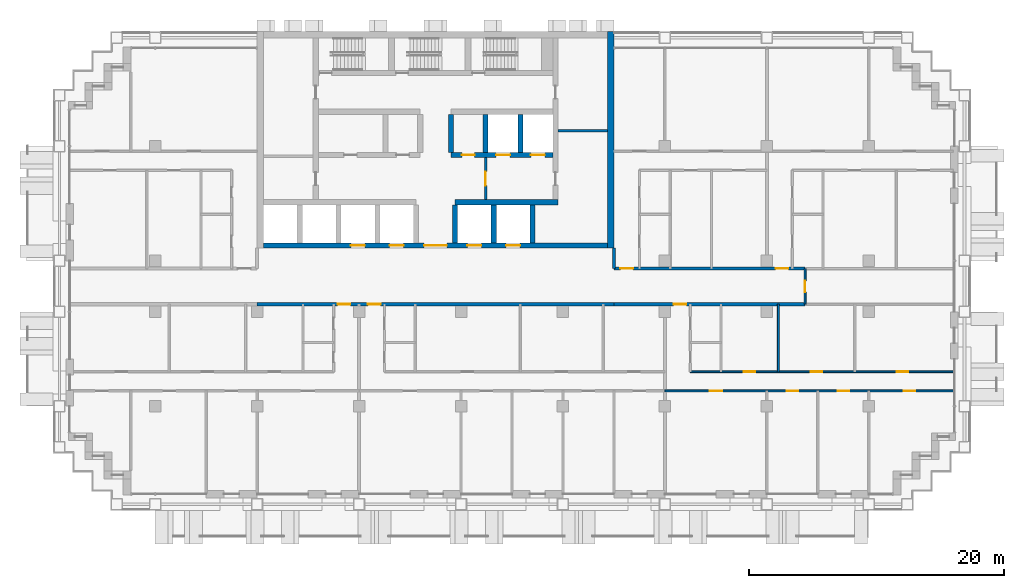
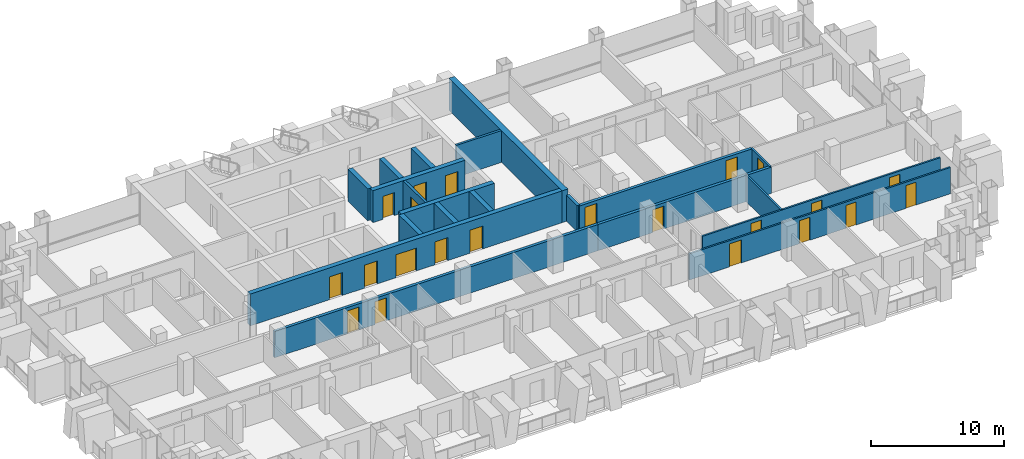
# One storey, part 11 of 17: 22 doors, 20 walls, 22 openings.
"""IFC4 building model written with IfcOpenShell, lengths in metres."""

from ifc_helpers import new_model, si_unit, direction, frame, frame_2d, origin, place, context, subcontext, project, spatial, rectangle, extrude, material, layer, layer_set, type_object, element, fill, save


model = new_model("IFC4")

# Units and contexts
model_context = context("Model", 3, precision=1e-05, world=origin(), true_north=direction((0.0, 1.0)))
body_context = subcontext(model_context, "Body", "Model", "MODEL_VIEW")
ifc_project = project(units=[si_unit("LENGTHUNIT", "METRE"), si_unit("AREAUNIT", "SQUARE_METRE"), si_unit("VOLUMEUNIT", "CUBIC_METRE"), si_unit("PLANEANGLEUNIT", "RADIAN"), si_unit("MASSUNIT", "GRAM", prefix="KILO")], contexts=[model_context])

# Site, building, storey
site_placement = place(None, origin())
site = spatial("IfcSite", under=ifc_project, at=site_placement, CompositionType="ELEMENT")
building_placement = place(site_placement, origin())
building = spatial("IfcBuilding", under=site, at=building_placement, Name="Vidyagriha Tower", CompositionType="ELEMENT")
storey_placement = place(building_placement, frame((0.0, 0.0, 96.699951171875)))
storey = spatial("IfcBuildingStorey", under=building, at=storey_placement, Name="L25", CompositionType="ELEMENT", Elevation=96.699951171875)

# Wall, openings, doors
ifc_material_1 = material(Name="Concrete C60/75", Category="concrete")
ifc_layer_1 = layer(ifc_material_1, 0.39990234375)
ifc_layer_set_1 = layer_set([ifc_layer_1], Name="Concrete C60/75")
wall_type_1 = type_object("IfcWallType", Name="Core shear wall 400 mm", PredefinedType="SHEAR", material=ifc_layer_set_1)
wall_1_placement = place(storey_placement, frame((-13.5, 3.199951171875, 0.0)))
wall_1 = element("IfcWall", 1, at=wall_1_placement, inside=storey, type_object=wall_type_1, Name="Core front wall", PredefinedType="SHEAR", context=body_context, shape_type="SweptSolid", body=[
    extrude(rectangle(XDim=27.0, YDim=0.39990234375, at=frame_2d((13.5, 0.0))), origin(), (0.0, 0.0, 1.0), 2.920166015625),
])
opening_1_placement = place(wall_1_placement, frame((6.861083984375, 0.0, 0.0)))
opening_1 = element("IfcOpeningElement", 2, at=opening_1_placement, cuts=wall_1, Name="Opening LD25-01", PredefinedType="OPENING", context=body_context, shape_type="SweptSolid", body=[
    extrude(rectangle(XDim=1.10009765625, YDim=2.10009765625, at=frame_2d((0.550048828125, 1.050048828125))), frame((0.0, 0.2099609375, 0.0), z_axis=(0.0, -1.0, 0.0), x_axis=(1.0, 0.0, 0.0)), (0.0, 0.0, 1.0), 0.419921875),
])
opening_2_placement = place(wall_1_placement, frame((9.905517578125, 0.0, 0.0)))
opening_2 = element("IfcOpeningElement", 3, at=opening_2_placement, cuts=wall_1, Name="Opening LD25-02", PredefinedType="OPENING", context=body_context, shape_type="SweptSolid", body=[
    extrude(rectangle(XDim=1.10009765625, YDim=2.10009765625, at=frame_2d((0.550048828125, 1.050048828125))), frame((0.0, 0.2099609375, 0.0), z_axis=(0.0, -1.0, 0.0), x_axis=(1.0, 0.0, 0.0)), (0.0, 0.0, 1.0), 0.419921875),
])
opening_3_placement = place(wall_1_placement, frame((15.994384765625, 0.0, 0.0)))
opening_3 = element("IfcOpeningElement", 4, at=opening_3_placement, cuts=wall_1, Name="Opening LD25-03", PredefinedType="OPENING", context=body_context, shape_type="SweptSolid", body=[
    extrude(rectangle(XDim=1.10009765625, YDim=2.10009765625, at=frame_2d((0.550048828125, 1.050048828125))), frame((0.0, 0.2099609375, 0.0), z_axis=(0.0, -1.0, 0.0), x_axis=(1.0, 0.0, 0.0)), (0.0, 0.0, 1.0), 0.419921875),
])
opening_4_placement = place(wall_1_placement, frame((19.038818359375, 0.0, 0.0)))
opening_4 = element("IfcOpeningElement", 5, at=opening_4_placement, cuts=wall_1, Name="Opening LD25-04", PredefinedType="OPENING", context=body_context, shape_type="SweptSolid", body=[
    extrude(rectangle(XDim=1.10009765625, YDim=2.10009765625, at=frame_2d((0.550048828125, 1.050048828125))), frame((0.0, 0.2099609375, 0.0), z_axis=(0.0, -1.0, 0.0), x_axis=(1.0, 0.0, 0.0)), (0.0, 0.0, 1.0), 0.419921875),
])
opening_5_placement = place(wall_1_placement, frame((12.60009765625, 0.0, 0.0)))
opening_5 = element("IfcOpeningElement", 6, at=opening_5_placement, cuts=wall_1, Name="Opening D25-01", PredefinedType="OPENING", context=body_context, shape_type="SweptSolid", body=[
    extrude(rectangle(XDim=1.800048828125, YDim=2.10009765625, at=frame_2d((0.89990234375, 1.050048828125))), frame((0.0, 0.2099609375, 0.0), z_axis=(0.0, -1.0, 0.0), x_axis=(1.0, 0.0, 0.0)), (0.0, 0.0, 1.0), 0.419921875),
])
ifc_material_2 = material(Name="Hollow metal door leaf")
door_type_1 = type_object("IfcDoorType", Name="Core lobby double door 1800 x 2100 mm EI 60", OperationType="NOTDEFINED", PredefinedType="DOOR", material=ifc_material_2)
door_1_placement = place(opening_5_placement, frame((1.800048828125, 0.0, 0.0), z_axis=(0.0, 0.0, 1.0), x_axis=(-1.0, 0.0, 0.0)))
door_1 = element("IfcDoor", 7, at=door_1_placement, inside=storey, type_object=door_type_1, Name="Core entrance door L25", OperationType="DOUBLE_DOOR_SINGLE_SWING", OverallHeight=2.10009765625, OverallWidth=1.800048828125, PredefinedType="DOOR", context=body_context, shape_type="SweptSolid", body=[
    extrude(rectangle(XDim=1.800048828125, YDim=2.10009765625, at=frame_2d((0.89990234375, 1.050048828125))), frame((0.0, 0.02490234375, 0.0), z_axis=(0.0, -1.0, 0.0), x_axis=(1.0, 0.0, 0.0)), (0.0, 0.0, 1.0), 0.050048828125),
])
fill(opening_5, door_1)
ifc_material_3 = material(Name="Stainless steel sliding door panel", Category="steel")
door_type_2 = type_object("IfcDoorType", Name="Lift landing door 1100 x 2100 mm EI 90", OperationType="NOTDEFINED", PredefinedType="DOOR", material=ifc_material_3)
door_2_placement = place(opening_1_placement, origin())
door_2 = element("IfcDoor", 8, at=door_2_placement, inside=storey, type_object=door_type_2, Name="Landing door LR1 L25", OperationType="SLIDING_TO_LEFT", OverallHeight=2.10009765625, OverallWidth=1.10009765625, PredefinedType="DOOR", context=body_context, shape_type="SweptSolid", body=[
    extrude(rectangle(XDim=1.10009765625, YDim=2.10009765625, at=frame_2d((0.550048828125, 1.050048828125))), frame((0.0, 0.02490234375, 0.0), z_axis=(0.0, -1.0, 0.0), x_axis=(1.0, 0.0, 0.0)), (0.0, 0.0, 1.0), 0.050048828125),
])
fill(opening_1, door_2)
door_3_placement = place(opening_2_placement, origin())
door_3 = element("IfcDoor", 9, at=door_3_placement, inside=storey, type_object=door_type_2, Name="Landing door LR2 L25", OperationType="SLIDING_TO_LEFT", OverallHeight=2.10009765625, OverallWidth=1.10009765625, PredefinedType="DOOR", context=body_context, shape_type="SweptSolid", body=[
    extrude(rectangle(XDim=1.10009765625, YDim=2.10009765625, at=frame_2d((0.550048828125, 1.050048828125))), frame((0.0, 0.02490234375, 0.0), z_axis=(0.0, -1.0, 0.0), x_axis=(1.0, 0.0, 0.0)), (0.0, 0.0, 1.0), 0.050048828125),
])
fill(opening_2, door_3)
door_4_placement = place(opening_3_placement, origin())
door_4 = element("IfcDoor", 10, at=door_4_placement, inside=storey, type_object=door_type_2, Name="Landing door LR3 L25", OperationType="SLIDING_TO_LEFT", OverallHeight=2.10009765625, OverallWidth=1.10009765625, PredefinedType="DOOR", context=body_context, shape_type="SweptSolid", body=[
    extrude(rectangle(XDim=1.10009765625, YDim=2.10009765625, at=frame_2d((0.550048828125, 1.050048828125))), frame((0.0, 0.02490234375, 0.0), z_axis=(0.0, -1.0, 0.0), x_axis=(1.0, 0.0, 0.0)), (0.0, 0.0, 1.0), 0.050048828125),
])
fill(opening_3, door_4)
door_5_placement = place(opening_4_placement, origin())
door_5 = element("IfcDoor", 11, at=door_5_placement, inside=storey, type_object=door_type_2, Name="Landing door LR4 L25", OperationType="SLIDING_TO_LEFT", OverallHeight=2.10009765625, OverallWidth=1.10009765625, PredefinedType="DOOR", context=body_context, shape_type="SweptSolid", body=[
    extrude(rectangle(XDim=1.10009765625, YDim=2.10009765625, at=frame_2d((0.550048828125, 1.050048828125))), frame((0.0, 0.02490234375, 0.0), z_axis=(0.0, -1.0, 0.0), x_axis=(1.0, 0.0, 0.0)), (0.0, 0.0, 1.0), 0.050048828125),
])
fill(opening_4, door_5)

# Walls
wall_2_placement = place(storey_placement, frame((1.522216796875, 6.60009765625, 0.0)))
element("IfcWall", 12, at=wall_2_placement, inside=storey, type_object=wall_type_1, Name="Core lobby south wall east", PredefinedType="SHEAR", context=body_context, shape_type="SweptSolid", body=[
    extrude(rectangle(XDim=8.077880859375, YDim=0.39990234375, at=frame_2d((4.0390625, 0.0))), origin(), (0.0, 0.0, 1.0), 2.920166015625),
])
for number, where, z_axis, x_axis, name in (
    (13, (1.522216796875, 3.39990234375, 0.0), (0.0, 0.0, 1.0), (0.0, 1.0, 0.0), "Core bay wall S5"),
    (14, (4.566650390625, 3.39990234375, 0.0), (0.0, 0.0, 1.0), (0.0, 1.0, 0.0), "Core bay wall S6"),
    (15, (7.611083984375, 3.39990234375, 0.0), (0.0, 0.0, 1.0), (0.0, 1.0, 0.0), "Core bay wall S7"),
):
    element("IfcWall", number, at=place(storey_placement, frame(where, z_axis=z_axis, x_axis=x_axis)), inside=storey, type_object=wall_type_1, Name=name, PredefinedType="SHEAR", context=body_context, shape_type="SweptSolid", body=[
        extrude(rectangle(XDim=3.0, YDim=0.39990234375, at=frame_2d((1.5, 0.0))), origin(), (0.0, 0.0, 1.0), 2.920166015625),
    ])

# Wall, openings, doors
wall_3_placement = place(storey_placement, frame((1.199951171875, 10.300048828125, 0.0)))
wall_3 = element("IfcWall", 16, at=wall_3_placement, inside=storey, type_object=wall_type_1, Name="Core row N front wall", PredefinedType="SHEAR", context=body_context, shape_type="SweptSolid", body=[
    extrude(rectangle(XDim=8.0, YDim=0.39990234375, at=frame_2d((4.0, 0.0))), origin(), (0.0, 0.0, 1.0), 2.920166015625),
])
opening_6_placement = place(wall_3_placement, frame((3.550048828125, 0.0, 0.0)))
opening_6 = element("IfcOpeningElement", 17, at=opening_6_placement, cuts=wall_3, Name="Opening LD25-05", PredefinedType="OPENING", context=body_context, shape_type="SweptSolid", body=[
    extrude(rectangle(XDim=1.10009765625, YDim=2.10009765625, at=frame_2d((0.550048828125, 1.050048828125))), frame((0.0, 0.2099609375, 0.0), z_axis=(0.0, -1.0, 0.0), x_axis=(1.0, 0.0, 0.0)), (0.0, 0.0, 1.0), 0.419921875),
])
opening_7_placement = place(wall_3_placement, frame((6.283203125, 0.0, 0.0)))
opening_7 = element("IfcOpeningElement", 18, at=opening_7_placement, cuts=wall_3, Name="Opening LD25-06", PredefinedType="OPENING", context=body_context, shape_type="SweptSolid", body=[
    extrude(rectangle(XDim=1.10009765625, YDim=2.10009765625, at=frame_2d((0.550048828125, 1.050048828125))), frame((0.0, 0.2099609375, 0.0), z_axis=(0.0, -1.0, 0.0), x_axis=(1.0, 0.0, 0.0)), (0.0, 0.0, 1.0), 0.419921875),
])
opening_8_placement = place(wall_3_placement, frame((0.86669921875, 0.0, 0.0)))
opening_8 = element("IfcOpeningElement", 19, at=opening_8_placement, cuts=wall_3, Name="Opening D25-04", PredefinedType="OPENING", context=body_context, shape_type="SweptSolid", body=[
    extrude(rectangle(XDim=1.0, YDim=2.10009765625, at=frame_2d((0.5, 1.050048828125))), frame((0.0, 0.2099609375, 0.0), z_axis=(0.0, -1.0, 0.0), x_axis=(1.0, 0.0, 0.0)), (0.0, 0.0, 1.0), 0.419921875),
])
ifc_material_4 = material(Name="Hollow metal door leaf")
door_type_3 = type_object("IfcDoorType", Name="Core room door 1000 x 2100 mm EI 60", OperationType="NOTDEFINED", PredefinedType="DOOR", material=ifc_material_4)
door_6_placement = place(opening_8_placement, frame((1.0, 0.0, 0.0), z_axis=(0.0, 0.0, 1.0), x_axis=(-1.0, 0.0, 0.0)))
door_6 = element("IfcDoor", 20, at=door_6_placement, inside=storey, type_object=door_type_3, Name="Door Communications Room 25.16", OperationType="SINGLE_SWING_LEFT", OverallHeight=2.10009765625, OverallWidth=1.0, PredefinedType="DOOR", context=body_context, shape_type="SweptSolid", body=[
    extrude(rectangle(XDim=1.0, YDim=2.10009765625, at=frame_2d((0.5, 1.050048828125))), frame((0.0, 0.02490234375, 0.0), z_axis=(0.0, -1.0, 0.0), x_axis=(1.0, 0.0, 0.0)), (0.0, 0.0, 1.0), 0.050048828125),
])
fill(opening_8, door_6)
door_7_placement = place(opening_6_placement, origin())
door_7 = element("IfcDoor", 21, at=door_7_placement, inside=storey, type_object=door_type_2, Name="Landing door FF1 L25", OperationType="SLIDING_TO_LEFT", OverallHeight=2.10009765625, OverallWidth=1.10009765625, PredefinedType="DOOR", context=body_context, shape_type="SweptSolid", body=[
    extrude(rectangle(XDim=1.10009765625, YDim=2.10009765625, at=frame_2d((0.550048828125, 1.050048828125))), frame((0.0, 0.02490234375, 0.0), z_axis=(0.0, -1.0, 0.0), x_axis=(1.0, 0.0, 0.0)), (0.0, 0.0, 1.0), 0.050048828125),
])
fill(opening_6, door_7)
door_8_placement = place(opening_7_placement, origin())
door_8 = element("IfcDoor", 22, at=door_8_placement, inside=storey, type_object=door_type_2, Name="Landing door FF2 L25", OperationType="SLIDING_TO_LEFT", OverallHeight=2.10009765625, OverallWidth=1.10009765625, PredefinedType="DOOR", context=body_context, shape_type="SweptSolid", body=[
    extrude(rectangle(XDim=1.10009765625, YDim=2.10009765625, at=frame_2d((0.550048828125, 1.050048828125))), frame((0.0, 0.02490234375, 0.0), z_axis=(0.0, -1.0, 0.0), x_axis=(1.0, 0.0, 0.0)), (0.0, 0.0, 1.0), 0.050048828125),
])
fill(opening_7, door_8)

# Walls
for number, where, z_axis, x_axis, name in (
    (23, (1.199951171875, 10.5, 0.0), (0.0, 0.0, 1.0), (0.0, 1.0, 0.0), "Core bay wall N4"),
    (24, (3.933349609375, 10.5, 0.0), (0.0, 0.0, 1.0), (0.0, 1.0, 0.0), "Core bay wall N5"),
    (25, (6.666748046875, 10.5, 0.0), (0.0, 0.0, 1.0), (0.0, 1.0, 0.0), "Core bay wall N6"),
):
    element("IfcWall", number, at=place(storey_placement, frame(where, z_axis=z_axis, x_axis=x_axis)), inside=storey, type_object=wall_type_1, Name=name, PredefinedType="SHEAR", context=body_context, shape_type="SweptSolid", body=[
        extrude(rectangle(XDim=3.0, YDim=0.39990234375, at=frame_2d((1.5, 0.0))), origin(), (0.0, 0.0, 1.0), 2.920166015625),
    ])
ifc_material_5 = material(Name="Concrete C60/75", Category="concrete")
ifc_layer_2 = layer(ifc_material_5, 0.5)
ifc_layer_set_2 = layer_set([ifc_layer_2], Name="Concrete C60/75")
wall_type_2 = type_object("IfcWallType", Name="Core shear wall 500 mm", PredefinedType="SHEAR", material=ifc_layer_set_2)
wall_4_placement = place(storey_placement, frame((13.75, 3.0, 0.0), z_axis=(0.0, 0.0, 1.0), x_axis=(0.0, 1.0, 0.0)))
element("IfcWall", 26, at=wall_4_placement, inside=storey, type_object=wall_type_2, Name="Core east wall", PredefinedType="SHEAR", context=body_context, shape_type="SweptSolid", body=[
    extrude(rectangle(XDim=17.0, YDim=0.5, at=frame_2d((8.5, 0.0))), origin(), (0.0, 0.0, 1.0), 2.920166015625),
])

# Wall, opening, door
ifc_material_6 = material(Name="Fired clay brick masonry", Category="masonry")
ifc_layer_3 = layer(ifc_material_6, 0.25)
ifc_layer_set_3 = layer_set([ifc_layer_3], Name="Fired clay brick masonry")
wall_type_3 = type_object("IfcWallType", Name="Fired clay brick corridor wall 250", PredefinedType="PARTITIONING", material=ifc_layer_set_3)
wall_5_placement = place(storey_placement, frame((29.0, -1.39990234375, 0.0), z_axis=(0.0, 0.0, 1.0), x_axis=(-1.0, 0.0, 0.0)))
wall_5 = element("IfcWall", 27, at=wall_5_placement, inside=storey, type_object=wall_type_3, Name="Wall all-L25-w066", PredefinedType="PARTITIONING", context=body_context, shape_type="SweptSolid", body=[
    extrude(rectangle(XDim=15.0, YDim=0.25, at=frame_2d((7.5, 0.0))), origin(), (0.0, 0.0, 1.0), 2.400146484375),
])
opening_9_placement = place(wall_5_placement, frame((9.31103515625, 0.0, 0.0)))
opening_9 = element("IfcOpeningElement", 28, at=opening_9_placement, cuts=wall_5, Name="Opening D25-43", PredefinedType="OPENING", context=body_context, shape_type="SweptSolid", body=[
    extrude(rectangle(XDim=1.0, YDim=2.10009765625, at=frame_2d((0.5, 1.050048828125))), frame((0.0, 0.135009765625, 0.0), z_axis=(0.0, -1.0, 0.0), x_axis=(1.0, 0.0, 0.0)), (0.0, 0.0, 1.0), 0.27001953125),
])
ifc_material_7 = material(Name="Fire-rated timber door leaf EI 60", Category="wood")
door_type_4 = type_object("IfcDoorType", Name="Flat entrance fire door 1000x2100", OperationType="NOTDEFINED", PredefinedType="DOOR", material=ifc_material_7)
door_9_placement = place(opening_9_placement, origin())
door_9 = element("IfcDoor", 29, at=door_9_placement, inside=storey, type_object=door_type_4, Name="Door D25-43", OperationType="SINGLE_SWING_RIGHT", OverallHeight=2.10009765625, OverallWidth=1.0, PredefinedType="DOOR", context=body_context, shape_type="SweptSolid", body=[
    extrude(rectangle(XDim=1.0, YDim=2.10009765625, at=frame_2d((0.5, 1.050048828125))), frame((0.0, 0.02490234375, 0.0), z_axis=(0.0, -1.0, 0.0), x_axis=(1.0, 0.0, 0.0)), (0.0, 0.0, 1.0), 0.050048828125),
])
fill(opening_9, door_9)

# Wall, openings, doors
wall_6_placement = place(storey_placement, frame((14.0, 1.39990234375, 0.0)))
wall_6 = element("IfcWall", 30, at=wall_6_placement, inside=storey, type_object=wall_type_3, Name="Wall all-L25-w112", PredefinedType="PARTITIONING", context=body_context, shape_type="SweptSolid", body=[
    extrude(rectangle(XDim=15.0, YDim=0.25, at=frame_2d((7.5, 0.0))), origin(), (0.0, 0.0, 1.0), 2.400146484375),
])
opening_10_placement = place(wall_6_placement, frame((0.5, 0.0, 0.0)))
opening_10 = element("IfcOpeningElement", 31, at=opening_10_placement, cuts=wall_6, Name="Opening D25-57", PredefinedType="OPENING", context=body_context, shape_type="SweptSolid", body=[
    extrude(rectangle(XDim=1.0, YDim=2.10009765625, at=frame_2d((0.5, 1.050048828125))), frame((0.0, 0.135009765625, 0.0), z_axis=(0.0, -1.0, 0.0), x_axis=(1.0, 0.0, 0.0)), (0.0, 0.0, 1.0), 0.27001953125),
])
opening_11_placement = place(wall_6_placement, frame((12.68896484375, 0.0, 0.0)))
opening_11 = element("IfcOpeningElement", 32, at=opening_11_placement, cuts=wall_6, Name="Opening D25-64", PredefinedType="OPENING", context=body_context, shape_type="SweptSolid", body=[
    extrude(rectangle(XDim=1.0, YDim=2.10009765625, at=frame_2d((0.5, 1.050048828125))), frame((0.0, 0.135009765625, 0.0), z_axis=(0.0, -1.0, 0.0), x_axis=(1.0, 0.0, 0.0)), (0.0, 0.0, 1.0), 0.27001953125),
])
door_10_placement = place(opening_10_placement, origin())
door_10 = element("IfcDoor", 33, at=door_10_placement, inside=storey, type_object=door_type_4, Name="Door D25-57", OperationType="SINGLE_SWING_LEFT", OverallHeight=2.10009765625, OverallWidth=1.0, PredefinedType="DOOR", context=body_context, shape_type="SweptSolid", body=[
    extrude(rectangle(XDim=1.0, YDim=2.10009765625, at=frame_2d((0.5, 1.050048828125))), frame((0.0, 0.02490234375, 0.0), z_axis=(0.0, -1.0, 0.0), x_axis=(1.0, 0.0, 0.0)), (0.0, 0.0, 1.0), 0.050048828125),
])
fill(opening_10, door_10)
door_11_placement = place(opening_11_placement, origin())
door_11 = element("IfcDoor", 34, at=door_11_placement, inside=storey, type_object=door_type_4, Name="Door D25-64", OperationType="SINGLE_SWING_LEFT", OverallHeight=2.10009765625, OverallWidth=1.0, PredefinedType="DOOR", context=body_context, shape_type="SweptSolid", body=[
    extrude(rectangle(XDim=1.0, YDim=2.10009765625, at=frame_2d((0.5, 1.050048828125))), frame((0.0, 0.02490234375, 0.0), z_axis=(0.0, -1.0, 0.0), x_axis=(1.0, 0.0, 0.0)), (0.0, 0.0, 1.0), 0.050048828125),
])
fill(opening_11, door_11)

wall_7_placement = place(storey_placement, frame((14.0, -1.39990234375, 0.0), z_axis=(0.0, 0.0, 1.0), x_axis=(-1.0, 0.0, 0.0)))
wall_7 = element("IfcWall", 35, at=wall_7_placement, inside=storey, type_object=wall_type_3, Name="Wall all-L25-w116", PredefinedType="PARTITIONING", context=body_context, shape_type="SweptSolid", body=[
    extrude(rectangle(XDim=28.0, YDim=0.25, at=frame_2d((14.0, 0.0))), origin(), (0.0, 0.0, 1.0), 2.400146484375),
])
opening_12_placement = place(wall_7_placement, frame((20.68896484375, 0.0, 0.0)))
opening_12 = element("IfcOpeningElement", 36, at=opening_12_placement, cuts=wall_7, Name="Opening D25-22", PredefinedType="OPENING", context=body_context, shape_type="SweptSolid", body=[
    extrude(rectangle(XDim=1.0, YDim=2.10009765625, at=frame_2d((0.5, 1.050048828125))), frame((0.0, 0.135009765625, 0.0), z_axis=(0.0, -1.0, 0.0), x_axis=(1.0, 0.0, 0.0)), (0.0, 0.0, 1.0), 0.27001953125),
])
opening_13_placement = place(wall_7_placement, frame((18.31103515625, 0.0, 0.0)))
opening_13 = element("IfcOpeningElement", 37, at=opening_13_placement, cuts=wall_7, Name="Opening D25-33", PredefinedType="OPENING", context=body_context, shape_type="SweptSolid", body=[
    extrude(rectangle(XDim=1.0, YDim=2.10009765625, at=frame_2d((0.5, 1.050048828125))), frame((0.0, 0.135009765625, 0.0), z_axis=(0.0, -1.0, 0.0), x_axis=(1.0, 0.0, 0.0)), (0.0, 0.0, 1.0), 0.27001953125),
])
door_12_placement = place(opening_12_placement, origin())
door_12 = element("IfcDoor", 38, at=door_12_placement, inside=storey, type_object=door_type_4, Name="Door D25-22", OperationType="SINGLE_SWING_LEFT", OverallHeight=2.10009765625, OverallWidth=1.0, PredefinedType="DOOR", context=body_context, shape_type="SweptSolid", body=[
    extrude(rectangle(XDim=1.0, YDim=2.10009765625, at=frame_2d((0.5, 1.050048828125))), frame((0.0, 0.02490234375, 0.0), z_axis=(0.0, -1.0, 0.0), x_axis=(1.0, 0.0, 0.0)), (0.0, 0.0, 1.0), 0.050048828125),
])
fill(opening_12, door_12)
door_13_placement = place(opening_13_placement, origin())
door_13 = element("IfcDoor", 39, at=door_13_placement, inside=storey, type_object=door_type_4, Name="Door D25-33", OperationType="SINGLE_SWING_RIGHT", OverallHeight=2.10009765625, OverallWidth=1.0, PredefinedType="DOOR", context=body_context, shape_type="SweptSolid", body=[
    extrude(rectangle(XDim=1.0, YDim=2.10009765625, at=frame_2d((0.5, 1.050048828125))), frame((0.0, 0.02490234375, 0.0), z_axis=(0.0, -1.0, 0.0), x_axis=(1.0, 0.0, 0.0)), (0.0, 0.0, 1.0), 0.050048828125),
])
fill(opening_13, door_13)

# Walls
wall_8_placement = place(storey_placement, frame((14.0, 1.39990234375, 0.0), z_axis=(0.0, 0.0, 1.0), x_axis=(0.0, 1.0, 0.0)))
element("IfcWall", 40, at=wall_8_placement, inside=storey, type_object=wall_type_3, Name="Wall all-L25-w118", PredefinedType="PARTITIONING", context=body_context, shape_type="SweptSolid", body=[
    extrude(rectangle(XDim=1.60009765625, YDim=0.25, at=frame_2d((0.800048828125, 0.0))), origin(), (0.0, 0.0, 1.0), 2.400146484375),
])
ifc_material_8 = material(Name="Gypsum board partition")
ifc_layer_4 = layer(ifc_material_8, 0.14990234375)
ifc_layer_set_4 = layer_set([ifc_layer_4], Name="Gypsum board partition")
wall_type_4 = type_object("IfcWallType", Name="Gypsum board partition 150", PredefinedType="PARTITIONING", material=ifc_layer_set_4)
wall_9_placement = place(storey_placement, frame((26.89990234375, -1.39990234375, 0.0), z_axis=(0.0, 0.0, 1.0), x_axis=(0.0, -1.0, 0.0)))
element("IfcWall", 41, at=wall_9_placement, inside=storey, type_object=wall_type_4, Name="Wall all-L25-w049", PredefinedType="PARTITIONING", context=body_context, shape_type="SweptSolid", body=[
    extrude(rectangle(XDim=5.300048828125, YDim=0.14990234375, at=frame_2d((2.64990234375, 0.0))), origin(), (0.0, 0.0, 1.0), 2.400146484375),
])

# Wall, openings, doors
wall_10_placement = place(storey_placement, frame((20.0, -6.699951171875, 0.0)))
wall_10 = element("IfcWall", 42, at=wall_10_placement, inside=storey, type_object=wall_type_4, Name="Wall all-L25-w051", PredefinedType="PARTITIONING", context=body_context, shape_type="SweptSolid", body=[
    extrude(rectangle(XDim=20.6201171875, YDim=0.14990234375, at=frame_2d((10.31005859375, 0.0))), origin(), (0.0, 0.0, 1.0), 2.400146484375),
])
opening_14_placement = place(wall_10_placement, frame((4.199951171875, 0.0, 0.0)))
opening_14 = element("IfcOpeningElement", 43, at=opening_14_placement, cuts=wall_10, Name="Opening D25-36", PredefinedType="OPENING", context=body_context, shape_type="SweptSolid", body=[
    extrude(rectangle(XDim=0.89990234375, YDim=2.10009765625, at=frame_2d((0.449951171875, 1.050048828125))), frame((0.0, 0.0849609375, 0.0), z_axis=(0.0, -1.0, 0.0), x_axis=(1.0, 0.0, 0.0)), (0.0, 0.0, 1.0), 0.169921875),
])
opening_15_placement = place(wall_10_placement, frame((9.449951171875, 0.0, 0.0)))
opening_15 = element("IfcOpeningElement", 44, at=opening_15_placement, cuts=wall_10, Name="Opening D25-37", PredefinedType="OPENING", context=body_context, shape_type="SweptSolid", body=[
    extrude(rectangle(XDim=0.89990234375, YDim=2.10009765625, at=frame_2d((0.449951171875, 1.050048828125))), frame((0.0, 0.0849609375, 0.0), z_axis=(0.0, -1.0, 0.0), x_axis=(1.0, 0.0, 0.0)), (0.0, 0.0, 1.0), 0.169921875),
])
opening_16_placement = place(wall_10_placement, frame((16.199951171875, 0.0, 0.0)))
opening_16 = element("IfcOpeningElement", 45, at=opening_16_placement, cuts=wall_10, Name="Opening D25-38", PredefinedType="OPENING", context=body_context, shape_type="SweptSolid", body=[
    extrude(rectangle(XDim=0.89990234375, YDim=2.10009765625, at=frame_2d((0.449951171875, 1.050048828125))), frame((0.0, 0.0849609375, 0.0), z_axis=(0.0, -1.0, 0.0), x_axis=(1.0, 0.0, 0.0)), (0.0, 0.0, 1.0), 0.169921875),
])
ifc_material_9 = material(Name="Timber door leaf", Category="wood")
door_type_5 = type_object("IfcDoorType", Name="Room door 900x2100", OperationType="NOTDEFINED", PredefinedType="DOOR", material=ifc_material_9)
door_14_placement = place(opening_14_placement, origin())
door_14 = element("IfcDoor", 46, at=door_14_placement, inside=storey, type_object=door_type_5, Name="Door D25-36", OperationType="SINGLE_SWING_RIGHT", OverallHeight=2.10009765625, OverallWidth=0.89990234375, PredefinedType="DOOR", context=body_context, shape_type="SweptSolid", body=[
    extrude(rectangle(XDim=0.89990234375, YDim=2.10009765625, at=frame_2d((0.449951171875, 1.050048828125))), frame((0.0, 0.02490234375, 0.0), z_axis=(0.0, -1.0, 0.0), x_axis=(1.0, 0.0, 0.0)), (0.0, 0.0, 1.0), 0.050048828125),
])
fill(opening_14, door_14)
door_15_placement = place(opening_15_placement, origin())
door_15 = element("IfcDoor", 47, at=door_15_placement, inside=storey, type_object=door_type_5, Name="Door D25-37", OperationType="SINGLE_SWING_RIGHT", OverallHeight=2.10009765625, OverallWidth=0.89990234375, PredefinedType="DOOR", context=body_context, shape_type="SweptSolid", body=[
    extrude(rectangle(XDim=0.89990234375, YDim=2.10009765625, at=frame_2d((0.449951171875, 1.050048828125))), frame((0.0, 0.02490234375, 0.0), z_axis=(0.0, -1.0, 0.0), x_axis=(1.0, 0.0, 0.0)), (0.0, 0.0, 1.0), 0.050048828125),
])
fill(opening_15, door_15)
door_16_placement = place(opening_16_placement, origin())
door_16 = element("IfcDoor", 48, at=door_16_placement, inside=storey, type_object=door_type_5, Name="Door D25-38", OperationType="SINGLE_SWING_RIGHT", OverallHeight=2.10009765625, OverallWidth=0.89990234375, PredefinedType="DOOR", context=body_context, shape_type="SweptSolid", body=[
    extrude(rectangle(XDim=0.89990234375, YDim=2.10009765625, at=frame_2d((0.449951171875, 1.050048828125))), frame((0.0, 0.02490234375, 0.0), z_axis=(0.0, -1.0, 0.0), x_axis=(1.0, 0.0, 0.0)), (0.0, 0.0, 1.0), 0.050048828125),
])
fill(opening_16, door_16)

wall_11_placement = place(storey_placement, frame((40.6201171875, -8.199951171875, 0.0), z_axis=(0.0, 0.0, 1.0), x_axis=(-1.0, 0.0, 0.0)))
wall_11 = element("IfcWall", 49, at=wall_11_placement, inside=storey, type_object=wall_type_4, Name="Wall all-L25-w055", PredefinedType="PARTITIONING", context=body_context, shape_type="SweptSolid", body=[
    extrude(rectangle(XDim=22.6201171875, YDim=0.14990234375, at=frame_2d((11.31005859375, 0.0))), origin(), (0.0, 0.0, 1.0), 2.400146484375),
])
opening_17_placement = place(wall_11_placement, frame((18.1201171875, 0.0, 0.0)))
opening_17 = element("IfcOpeningElement", 50, at=opening_17_placement, cuts=wall_11, Name="Opening D25-39", PredefinedType="OPENING", context=body_context, shape_type="SweptSolid", body=[
    extrude(rectangle(XDim=1.0, YDim=2.10009765625, at=frame_2d((0.5, 1.050048828125))), frame((0.0, 0.0849609375, 0.0), z_axis=(0.0, -1.0, 0.0), x_axis=(1.0, 0.0, 0.0)), (0.0, 0.0, 1.0), 0.169921875),
])
opening_18_placement = place(wall_11_placement, frame((12.169921875, 0.0, 0.0)))
opening_18 = element("IfcOpeningElement", 51, at=opening_18_placement, cuts=wall_11, Name="Opening D25-40", PredefinedType="OPENING", context=body_context, shape_type="SweptSolid", body=[
    extrude(rectangle(XDim=0.89990234375, YDim=2.10009765625, at=frame_2d((0.449951171875, 1.050048828125))), frame((0.0, 0.0849609375, 0.0), z_axis=(0.0, -1.0, 0.0), x_axis=(1.0, 0.0, 0.0)), (0.0, 0.0, 1.0), 0.169921875),
])
opening_19_placement = place(wall_11_placement, frame((8.169921875, 0.0, 0.0)))
opening_19 = element("IfcOpeningElement", 52, at=opening_19_placement, cuts=wall_11, Name="Opening D25-41", PredefinedType="OPENING", context=body_context, shape_type="SweptSolid", body=[
    extrude(rectangle(XDim=0.89990234375, YDim=2.10009765625, at=frame_2d((0.449951171875, 1.050048828125))), frame((0.0, 0.0849609375, 0.0), z_axis=(0.0, -1.0, 0.0), x_axis=(1.0, 0.0, 0.0)), (0.0, 0.0, 1.0), 0.169921875),
])
opening_20_placement = place(wall_11_placement, frame((2.969970703125, 0.0, 0.0)))
opening_20 = element("IfcOpeningElement", 53, at=opening_20_placement, cuts=wall_11, Name="Opening D25-42", PredefinedType="OPENING", context=body_context, shape_type="SweptSolid", body=[
    extrude(rectangle(XDim=0.89990234375, YDim=2.10009765625, at=frame_2d((0.449951171875, 1.050048828125))), frame((0.0, 0.0849609375, 0.0), z_axis=(0.0, -1.0, 0.0), x_axis=(1.0, 0.0, 0.0)), (0.0, 0.0, 1.0), 0.169921875),
])
ifc_material_10 = material(Name="Timber door leaf", Category="wood")
door_type_6 = type_object("IfcDoorType", Name="Room door 1000x2100", OperationType="NOTDEFINED", PredefinedType="DOOR", material=ifc_material_10)
door_17_placement = place(opening_17_placement, origin())
door_17 = element("IfcDoor", 54, at=door_17_placement, inside=storey, type_object=door_type_6, Name="Door D25-39", OperationType="SINGLE_SWING_RIGHT", OverallHeight=2.10009765625, OverallWidth=1.0, PredefinedType="DOOR", context=body_context, shape_type="SweptSolid", body=[
    extrude(rectangle(XDim=1.0, YDim=2.10009765625, at=frame_2d((0.5, 1.050048828125))), frame((0.0, 0.02490234375, 0.0), z_axis=(0.0, -1.0, 0.0), x_axis=(1.0, 0.0, 0.0)), (0.0, 0.0, 1.0), 0.050048828125),
])
fill(opening_17, door_17)
door_18_placement = place(opening_18_placement, origin())
door_18 = element("IfcDoor", 55, at=door_18_placement, inside=storey, type_object=door_type_5, Name="Door D25-40", OperationType="SINGLE_SWING_RIGHT", OverallHeight=2.10009765625, OverallWidth=0.89990234375, PredefinedType="DOOR", context=body_context, shape_type="SweptSolid", body=[
    extrude(rectangle(XDim=0.89990234375, YDim=2.10009765625, at=frame_2d((0.449951171875, 1.050048828125))), frame((0.0, 0.02490234375, 0.0), z_axis=(0.0, -1.0, 0.0), x_axis=(1.0, 0.0, 0.0)), (0.0, 0.0, 1.0), 0.050048828125),
])
fill(opening_18, door_18)
door_19_placement = place(opening_19_placement, origin())
door_19 = element("IfcDoor", 56, at=door_19_placement, inside=storey, type_object=door_type_5, Name="Door D25-41", OperationType="SINGLE_SWING_RIGHT", OverallHeight=2.10009765625, OverallWidth=0.89990234375, PredefinedType="DOOR", context=body_context, shape_type="SweptSolid", body=[
    extrude(rectangle(XDim=0.89990234375, YDim=2.10009765625, at=frame_2d((0.449951171875, 1.050048828125))), frame((0.0, 0.02490234375, 0.0), z_axis=(0.0, -1.0, 0.0), x_axis=(1.0, 0.0, 0.0)), (0.0, 0.0, 1.0), 0.050048828125),
])
fill(opening_19, door_19)
door_20_placement = place(opening_20_placement, origin())
door_20 = element("IfcDoor", 57, at=door_20_placement, inside=storey, type_object=door_type_5, Name="Door D25-42", OperationType="SINGLE_SWING_LEFT", OverallHeight=2.10009765625, OverallWidth=0.89990234375, PredefinedType="DOOR", context=body_context, shape_type="SweptSolid", body=[
    extrude(rectangle(XDim=0.89990234375, YDim=2.10009765625, at=frame_2d((0.449951171875, 1.050048828125))), frame((0.0, 0.02490234375, 0.0), z_axis=(0.0, -1.0, 0.0), x_axis=(1.0, 0.0, 0.0)), (0.0, 0.0, 1.0), 0.050048828125),
])
fill(opening_20, door_20)

# Wall, opening, door
wall_12_placement = place(storey_placement, frame((29.0, -1.39990234375, 0.0), z_axis=(0.0, 0.0, 1.0), x_axis=(0.0, 1.0, 0.0)))
wall_12 = element("IfcWall", 58, at=wall_12_placement, inside=storey, type_object=wall_type_4, Name="Wall all-L25-w114", PredefinedType="PARTITIONING", context=body_context, shape_type="SweptSolid", body=[
    extrude(rectangle(XDim=2.7998046875, YDim=0.14990234375, at=frame_2d((1.39990234375, 0.0))), origin(), (0.0, 0.0, 1.0), 2.400146484375),
])
opening_21_placement = place(wall_12_placement, frame((0.949951171875, 0.0, 0.0)))
opening_21 = element("IfcOpeningElement", 59, at=opening_21_placement, cuts=wall_12, Name="Opening D25-65", PredefinedType="OPENING", context=body_context, shape_type="SweptSolid", body=[
    extrude(rectangle(XDim=0.89990234375, YDim=2.10009765625, at=frame_2d((0.449951171875, 1.050048828125))), frame((0.0, 0.0849609375, 0.0), z_axis=(0.0, -1.0, 0.0), x_axis=(1.0, 0.0, 0.0)), (0.0, 0.0, 1.0), 0.169921875),
])
door_21_placement = place(opening_21_placement, origin())
door_21 = element("IfcDoor", 60, at=door_21_placement, inside=storey, type_object=door_type_5, Name="Door D25-65", OperationType="SINGLE_SWING_RIGHT", OverallHeight=2.10009765625, OverallWidth=0.89990234375, PredefinedType="DOOR", context=body_context, shape_type="SweptSolid", body=[
    extrude(rectangle(XDim=0.89990234375, YDim=2.10009765625, at=frame_2d((0.449951171875, 1.050048828125))), frame((0.0, 0.02490234375, 0.0), z_axis=(0.0, -1.0, 0.0), x_axis=(1.0, 0.0, 0.0)), (0.0, 0.0, 1.0), 0.050048828125),
])
fill(opening_21, door_21)

ifc_material_11 = material(Name="Blockwork 15 MPa", Category="masonry")
ifc_layer_5 = layer(ifc_material_11, 0.199951171875)
ifc_layer_set_5 = layer_set([ifc_layer_5], Name="Blockwork 15 MPa")
wall_type_5 = type_object("IfcWallType", Name="Service room partition 200 mm", PredefinedType="PARTITIONING", material=ifc_layer_set_5)
wall_13_placement = place(storey_placement, frame((3.933349609375, 6.800048828125, 0.0), z_axis=(0.0, 0.0, 1.0), x_axis=(0.0, 1.0, 0.0)))
wall_13 = element("IfcWall", 61, at=wall_13_placement, inside=storey, type_object=wall_type_5, Name="Fire-fighting lobby west wall", PredefinedType="PARTITIONING", context=body_context, shape_type="SweptSolid", body=[
    extrude(rectangle(XDim=3.300048828125, YDim=0.199951171875, at=frame_2d((1.64990234375, 0.0))), origin(), (0.0, 0.0, 1.0), 2.920166015625),
])
opening_22_placement = place(wall_13_placement, frame((1.10009765625, 0.0, 0.0)))
opening_22 = element("IfcOpeningElement", 62, at=opening_22_placement, cuts=wall_13, Name="Opening D25-05", PredefinedType="OPENING", context=body_context, shape_type="SweptSolid", body=[
    extrude(rectangle(XDim=1.10009765625, YDim=2.10009765625, at=frame_2d((0.550048828125, 1.050048828125))), frame((0.0, 0.10986328125, 0.0), z_axis=(0.0, -1.0, 0.0), x_axis=(1.0, 0.0, 0.0)), (0.0, 0.0, 1.0), 0.219970703125),
])
ifc_material_12 = material(Name="Hollow metal door leaf")
door_type_7 = type_object("IfcDoorType", Name="Fire-fighting lobby door 1100 x 2100 mm EI 90", OperationType="NOTDEFINED", PredefinedType="DOOR", material=ifc_material_12)
door_22_placement = place(opening_22_placement, origin())
door_22 = element("IfcDoor", 63, at=door_22_placement, inside=storey, type_object=door_type_7, Name="Fire-fighting lobby door L25", OperationType="SINGLE_SWING_RIGHT", OverallHeight=2.10009765625, OverallWidth=1.10009765625, PredefinedType="DOOR", context=body_context, shape_type="SweptSolid", body=[
    extrude(rectangle(XDim=1.10009765625, YDim=2.10009765625, at=frame_2d((0.550048828125, 1.050048828125))), frame((0.0, 0.02490234375, 0.0), z_axis=(0.0, -1.0, 0.0), x_axis=(1.0, 0.0, 0.0)), (0.0, 0.0, 1.0), 0.050048828125),
])
fill(opening_22, door_22)

# Wall
wall_14_placement = place(storey_placement, frame((9.60009765625, 12.199951171875, 0.0)))
element("IfcWall", 64, at=wall_14_placement, inside=storey, type_object=wall_type_5, Name="Core room partition E1", PredefinedType="PARTITIONING", context=body_context, shape_type="SweptSolid", body=[
    extrude(rectangle(XDim=3.89990234375, YDim=0.199951171875, at=frame_2d((1.949951171875, 0.0))), origin(), (0.0, 0.0, 1.0), 2.920166015625),
])

save(model, "model.ifc")
